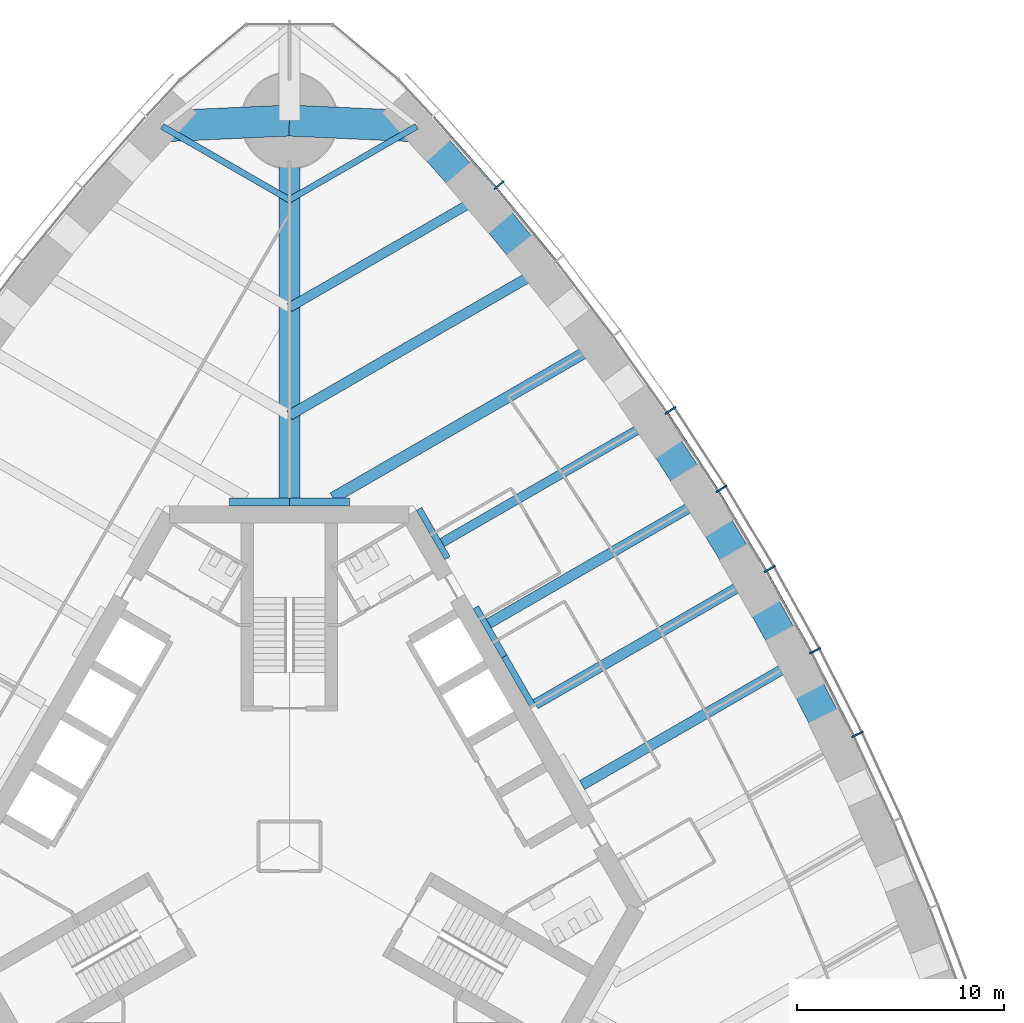
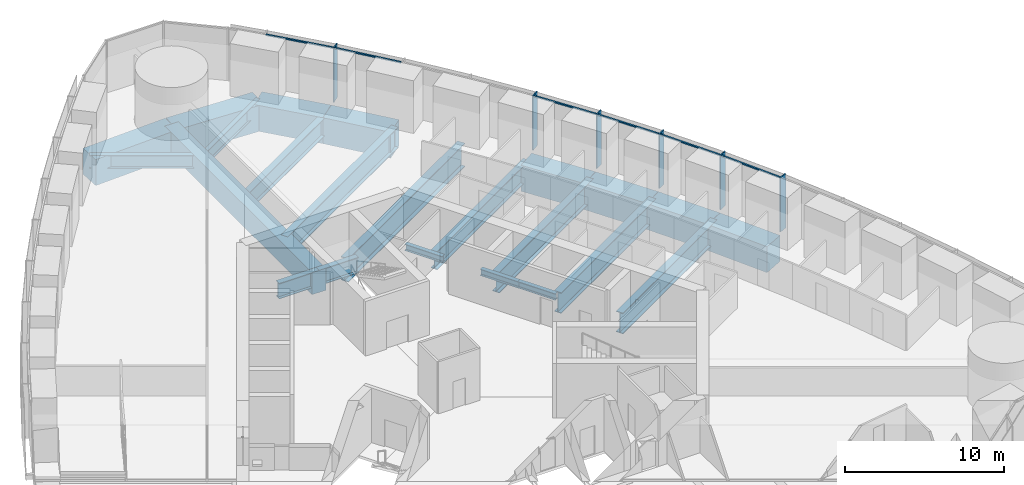
# One storey, part 5 of 20: 23 beams, 12 members, 1 element without a shape of its own.
"""IFC4 building model written with IfcOpenShell, lengths in metres."""

from ifc_helpers import new_model, si_unit, direction, frame, origin, origin_2d, place, context, subcontext, project, spatial, rectangle, i_section, extrude, material, material_profile, profile_set, type_object, element, aggregate, save


model = new_model("IFC4")

# Units and contexts
model_context = context("Model", 3, precision=1e-05, world=origin(), true_north=direction((0.0, 1.0)))
body_context = subcontext(model_context, "Body", "Model", "MODEL_VIEW")
ifc_project = project(units=[si_unit("LENGTHUNIT", "METRE"), si_unit("AREAUNIT", "SQUARE_METRE"), si_unit("VOLUMEUNIT", "CUBIC_METRE"), si_unit("PLANEANGLEUNIT", "RADIAN"), si_unit("MASSUNIT", "GRAM", prefix="KILO")], contexts=[model_context])

# Site, building, storey
site_placement = place(None, origin())
site = spatial("IfcSite", under=ifc_project, at=site_placement, CompositionType="ELEMENT")
building_placement = place(site_placement, origin())
building = spatial("IfcBuilding", under=site, at=building_placement, Name="Trefoil Bronze Tower", CompositionType="ELEMENT")
storey_placement = place(building_placement, frame((0.0, 0.0, 103.10009765625)))
storey = spatial("IfcBuildingStorey", under=building, at=storey_placement, Name="L23", CompositionType="ELEMENT", Elevation=103.10009765625)

# Curtain wall, members
ifc_material_1 = material(Name="Tinted solar-control glass", Category="glass")
curtain_wall_type = type_object("IfcCurtainWallType", Name="Bronze office curtain wall", PredefinedType="USERDEFINED", material=ifc_material_1)
curtain_wall_placement = place(storey_placement, origin())
curtain_wall = element("IfcCurtainWall", 1, at=curtain_wall_placement, inside=storey, type_object=curtain_wall_type, Name="CW-A L23 F2", ObjectType="CURTAIN WALL", PredefinedType="USERDEFINED")
ifc_material_2 = material(Name="Bronze-finish aluminium", Category="aluminium")
ifc_material_profile_1 = material_profile(ifc_material_2, rectangle(XDim=0.60009765625, YDim=0.080078125, at=origin_2d()), Name="CW-A mullion")
ifc_profile_set_1 = profile_set([ifc_material_profile_1], Name="Bronze-finish aluminium")
member_type_1 = type_object("IfcMemberType", Name="Bronze office curtain wall mullion", PredefinedType="MULLION", material=ifc_profile_set_1)
member_1_placement = place(storey_placement, frame((27.394775390625, 5.399169921875, 0.0), z_axis=(0.0, 0.0, 1.0), x_axis=(-0.899819602033, -0.436262173236, 0.0)))
member_1 = element("IfcMember", 2, at=member_1_placement, type_object=member_type_1, Name="CW-A L23 F2 mullion 6", PredefinedType="MULLION", context=body_context, shape_type="SweptSolid", body=[
    extrude(rectangle(XDim=0.60009765625, YDim=0.080078125, at=origin_2d()), origin(), (0.0, 0.0, 1.0), 4.179931640625),
])
member_2_placement = place(storey_placement, frame((25.350830078125, 9.427734375, 0.0), z_axis=(0.0, 0.0, 1.0), x_axis=(-0.883486441467, -0.468456729853, 0.0)))
member_2 = element("IfcMember", 3, at=member_2_placement, type_object=member_type_1, Name="CW-A L23 F2 mullion 7", PredefinedType="MULLION", context=body_context, shape_type="SweptSolid", body=[
    extrude(rectangle(XDim=0.60009765625, YDim=0.080078125, at=origin_2d()), origin(), (0.0, 0.0, 1.0), 4.179931640625),
])
member_3_placement = place(storey_placement, frame((23.166015625, 13.374755859375, 0.0), z_axis=(0.0, 0.0, 1.0), x_axis=(-0.866025403784, -0.5, 0.0)))
member_3 = element("IfcMember", 4, at=member_3_placement, type_object=member_type_1, Name="CW-A L23 F2 mullion 8", PredefinedType="MULLION", context=body_context, shape_type="SweptSolid", body=[
    extrude(rectangle(XDim=0.60009765625, YDim=0.080078125, at=origin_2d()), origin(), (0.0, 0.0, 1.0), 4.179931640625),
])
member_4_placement = place(storey_placement, frame((20.840087890625, 17.24072265625, 0.0), z_axis=(0.0, 0.0, 1.0), x_axis=(-0.84743864936, -0.530893337283, 0.0)))
member_4 = element("IfcMember", 5, at=member_4_placement, type_object=member_type_1, Name="CW-A L23 F2 mullion 9", PredefinedType="MULLION", context=body_context, shape_type="SweptSolid", body=[
    extrude(rectangle(XDim=0.60009765625, YDim=0.080078125, at=origin_2d()), origin(), (0.0, 0.0, 1.0), 4.179931640625),
])
member_5_placement = place(storey_placement, frame((18.373046875, 21.025146484375, 0.0), z_axis=(0.0, 0.0, 1.0), x_axis=(-0.827723925749, -0.561135547566, 0.0)))
member_5 = element("IfcMember", 6, at=member_5_placement, type_object=member_type_1, Name="CW-A L23 F2 mullion 10", PredefinedType="MULLION", context=body_context, shape_type="SweptSolid", body=[
    extrude(rectangle(XDim=0.60009765625, YDim=0.080078125, at=origin_2d()), origin(), (0.0, 0.0, 1.0), 4.179931640625),
])
member_6_placement = place(storey_placement, frame((10.11474609375, 31.8828125, 0.0), z_axis=(0.0, 0.0, 1.0), x_axis=(-0.761721651066, -0.647904411389, 0.0)))
member_6 = element("IfcMember", 7, at=member_6_placement, type_object=member_type_1, Name="CW-A L23 F2 mullion 13", PredefinedType="MULLION", context=body_context, shape_type="SweptSolid", body=[
    extrude(rectangle(XDim=0.60009765625, YDim=0.080078125, at=origin_2d()), origin(), (0.0, 0.0, 1.0), 4.179931640625),
])
ifc_material_3 = material(Name="Bronze-finish aluminium", Category="aluminium")
ifc_material_profile_2 = material_profile(ifc_material_3, rectangle(XDim=0.1201171875, YDim=0.10009765625, at=origin_2d()), Name="CW-A transom")
ifc_profile_set_2 = profile_set([ifc_material_profile_2], Name="Bronze-finish aluminium")
member_type_2 = type_object("IfcMemberType", Name="Bronze office curtain wall transom", PredefinedType="USERDEFINED", material=ifc_profile_set_2)
member_7_placement = place(storey_placement, frame((27.196044921875, 5.34912109375, 4.1298828125), z_axis=(-0.452478489814, 0.891775317138, 0.0), x_axis=(-0.891775317138, -0.452478489814, 0.0)))
member_7 = element("IfcMember", 8, at=member_7_placement, type_object=member_type_2, Name="CW-A L23 F2 transom 6", ObjectType="TRANSOM", PredefinedType="USERDEFINED", context=body_context, shape_type="SweptSolid", body=[
    extrude(rectangle(XDim=0.1201171875, YDim=0.10009765625, at=origin_2d()), origin(), (0.0, 0.0, 1.0), 4.426513671875),
])
member_8_placement = place(storey_placement, frame((25.154052734375, 9.37060546875, 4.1298828125), z_axis=(-0.484329470343, 0.874885686337, 0.0), x_axis=(-0.874885686337, -0.484329470343, 0.0)))
member_8 = element("IfcMember", 9, at=member_8_placement, type_object=member_type_2, Name="CW-A L23 F2 transom 7", ObjectType="TRANSOM", PredefinedType="USERDEFINED", context=body_context, shape_type="SweptSolid", body=[
    extrude(rectangle(XDim=0.1201171875, YDim=0.10009765625, at=origin_2d()), origin(), (0.0, 0.0, 1.0), 4.4208984375),
])
member_9_placement = place(storey_placement, frame((22.97119140625, 13.310546875, 4.1298828125), z_axis=(-0.515526794174, 0.856873458854, 0.0), x_axis=(-0.856873458854, -0.515526794174, 0.0)))
member_9 = element("IfcMember", 10, at=member_9_placement, type_object=member_type_2, Name="CW-A L23 F2 transom 8", ObjectType="TRANSOM", PredefinedType="USERDEFINED", context=body_context, shape_type="SweptSolid", body=[
    extrude(rectangle(XDim=0.1201171875, YDim=0.10009765625, at=origin_2d()), origin(), (0.0, 0.0, 1.0), 4.4208984375),
])
member_10_placement = place(storey_placement, frame((20.647705078125, 17.16943359375, 4.1298828125), z_axis=(-0.546079336226, 0.837733465099, 0.0), x_axis=(-0.837733465099, -0.546079336226, 0.0)))
member_10 = element("IfcMember", 11, at=member_10_placement, type_object=member_type_2, Name="CW-A L23 F2 transom 9", ObjectType="TRANSOM", PredefinedType="USERDEFINED", context=body_context, shape_type="SweptSolid", body=[
    extrude(rectangle(XDim=0.1201171875, YDim=0.10009765625, at=origin_2d()), origin(), (0.0, 0.0, 1.0), 4.426513671875),
])
member_11_placement = place(storey_placement, frame((12.82861328125, 28.255615234375, 4.1298828125), z_axis=(-0.633848872297, 0.773456919995, 0.0), x_axis=(-0.773456919995, -0.633848872297, 0.0)))
member_11 = element("IfcMember", 12, at=member_11_placement, type_object=member_type_2, Name="CW-A L23 F2 transom 12", ObjectType="TRANSOM", PredefinedType="USERDEFINED", context=body_context, shape_type="SweptSolid", body=[
    extrude(rectangle(XDim=0.1201171875, YDim=0.10009765625, at=origin_2d()), origin(), (0.0, 0.0, 1.0), 4.480224609375),
])
member_12_placement = place(storey_placement, frame((9.9345703125, 31.78466796875, 4.1298828125), z_axis=(-0.66173618877, 0.749736764786, 0.0), x_axis=(-0.749736764786, -0.66173618877, 0.0)))
member_12 = element("IfcMember", 13, at=member_12_placement, type_object=member_type_2, Name="CW-A L23 F2 transom 13", ObjectType="TRANSOM", PredefinedType="USERDEFINED", context=body_context, shape_type="SweptSolid", body=[
    extrude(rectangle(XDim=0.1201171875, YDim=0.10009765625, at=origin_2d()), origin(), (0.0, 0.0, 1.0), 4.510986328125),
])
aggregate(curtain_wall, [member_1, member_2, member_3, member_4, member_5, member_6, member_7, member_8, member_9, member_10, member_11, member_12])

# Beams
ifc_material_4 = material(Name="Steel C355", Category="steel")
ifc_material_profile_3 = material_profile(ifc_material_4, i_section(OverallWidth=0.300048828125, OverallDepth=0.5, WebThickness=0.014404296875, FlangeThickness=0.028076171875, FilletRadius=0.027099609375, at=origin_2d()), Name="HEB 500")
ifc_profile_set_3 = profile_set([ifc_material_profile_3], Name="Steel C355")
beam_type_1 = type_object("IfcBeamType", Name="Core seat beam HEB 500", PredefinedType="BEAM", material=ifc_profile_set_3)
for number, where, z_axis, x_axis, name in (
    (14, (11.734619140625, 6.77490234375, -0.4501953125), (-0.499969057507, 0.866043267704, 0.0), (-0.866043267704, -0.499969057507, 0.0), "Core seat beam F2/+0 L23"),
    (15, (10.363525390625, 9.14990234375, -0.4501953125), (-0.500035825175, 0.866004719122, 0.0), (-0.866004719122, -0.500035825175, 0.0), "Core seat beam F2/+1 L23"),
    (16, (7.62109375, 13.89990234375, -0.4501953125), (-0.500035825175, 0.866004719122, 0.0), (-0.866004719122, -0.500035825175, 0.0), "Core seat beam F2/+2 L23"),
):
    element("IfcBeam", number, at=place(storey_placement, frame(where, z_axis=z_axis, x_axis=x_axis)), inside=storey, type_object=beam_type_1, Name=name, PredefinedType="BEAM", context=body_context, shape_type="SweptSolid", body=[
        extrude(i_section(OverallWidth=0.300048828125, OverallDepth=0.5, WebThickness=0.014404296875, FlangeThickness=0.028076171875, FilletRadius=0.027099609375, at=origin_2d()), origin(), (0.0, 0.0, 1.0), 2.742431640625),
    ])
ifc_material_5 = material(Name="Steel C355", Category="steel")
ifc_material_profile_4 = material_profile(ifc_material_5, i_section(OverallWidth=0.39990234375, OverallDepth=1.199951171875, WebThickness=0.02001953125, FlangeThickness=0.0400390625, FilletRadius=0.010009765625, at=origin_2d()), Name="WPG 1200")
ifc_profile_set_4 = profile_set([ifc_material_profile_4], Name="Steel C355")
beam_type_2 = type_object("IfcBeamType", Name="Core seat beam WPG 1200", PredefinedType="BEAM", material=ifc_profile_set_4)
for number, where, z_axis, x_axis, name in (
    (17, (2.88671875, 16.60009765625, -0.800048828125), (-1.0, 0.0, 0.0), (0.0, -1.0, 0.0), "Core seat beam F2/+3 L23"),
    (18, (0.0, 16.60009765625, -0.800048828125), (-1.0, 0.0, 0.0), (0.0, -1.0, 0.0), "Core seat beam F3/-3 L23"),
):
    element("IfcBeam", number, at=place(storey_placement, frame(where, z_axis=z_axis, x_axis=x_axis)), inside=storey, type_object=beam_type_2, Name=name, PredefinedType="BEAM", context=body_context, shape_type="SweptSolid", body=[
        extrude(i_section(OverallWidth=0.39990234375, OverallDepth=1.199951171875, WebThickness=0.02001953125, FlangeThickness=0.0400390625, FilletRadius=0.010009765625, at=origin_2d()), origin(), (0.0, 0.0, 1.0), 2.88671875),
    ])
ifc_material_6 = material(Name="Concrete B80", Category="concrete")
ifc_material_profile_5 = material_profile(ifc_material_6, rectangle(XDim=1.0, YDim=1.699951171875, at=origin_2d()), Name="RC 1000x1700")
ifc_profile_set_5 = profile_set([ifc_material_profile_5], Name="Concrete B80")
beam_type_3 = type_object("IfcBeamType", Name="Corner girder RC 1000x1700", PredefinedType="BEAM", material=ifc_profile_set_5)
beam_1_placement = place(storey_placement, frame((0.0, 16.39990234375, -1.050048828125), z_axis=(0.0, 1.0, 0.0), x_axis=(-1.0, 0.0, 0.0)))
element("IfcBeam", 19, at=beam_1_placement, inside=storey, type_object=beam_type_3, Name="Corner girder K2 L23", PredefinedType="BEAM", context=body_context, shape_type="SweptSolid", body=[
    extrude(rectangle(XDim=1.0, YDim=1.699951171875, at=origin_2d()), origin(), (0.0, 0.0, 1.0), 18.60009765625),
])
ifc_material_7 = material(Name="Concrete B80", Category="concrete")
ifc_material_profile_6 = material_profile(ifc_material_7, rectangle(XDim=1.5, YDim=2.0, at=origin_2d()), Name="RC 1500x2000")
ifc_profile_set_6 = profile_set([ifc_material_profile_6], Name="Concrete B80")
beam_type_4 = type_object("IfcBeamType", Name="End spandrel beam RC 1500x2000", PredefinedType="SPANDREL", material=ifc_profile_set_6)
for number, where, z_axis, x_axis, name in (
    (20, (6.13916015625, 34.72119140625, -1.2001953125), (-0.998970341464, 0.045368015985, 0.0), (-0.045368015985, -0.998970341464, 0.0), "Spandrel F2.14 L23"),
    (21, (0.0, 35.0, -1.2001953125), (-0.998970341464, -0.045368015985, 0.0), (0.045368015985, -0.998970341464, 0.0), "Spandrel F3.1 L23"),
):
    element("IfcBeam", number, at=place(storey_placement, frame(where, z_axis=z_axis, x_axis=x_axis)), inside=storey, type_object=beam_type_4, Name=name, PredefinedType="SPANDREL", context=body_context, shape_type="SweptSolid", body=[
        extrude(rectangle(XDim=1.5, YDim=2.0, at=origin_2d()), origin(), (0.0, 0.0, 1.0), 6.1455078125),
    ])
ifc_material_8 = material(Name="Steel C355", Category="steel")
ifc_material_profile_7 = material_profile(ifc_material_8, i_section(OverallWidth=0.300048828125, OverallDepth=1.0, WebThickness=0.01904296875, FlangeThickness=0.035888671875, FilletRadius=0.030029296875, at=origin_2d()), Name="HEB 1000")
ifc_profile_set_7 = profile_set([ifc_material_profile_7], Name="Steel C355")
beam_type_5 = type_object("IfcBeamType", Name="Floor beam HEB 1000", PredefinedType="BEAM", material=ifc_profile_set_7)
for number, where, z_axis, x_axis, name in (
    (22, (6.13916015625, 34.72119140625, -0.7001953125), (-0.866041060244, -0.499972881236, 0.0), (0.499972881236, -0.866041060244, 0.0), "Floor beam F2/+6 L23"),
    (23, (-6.13916015625, 34.72119140625, -0.7001953125), (0.866041060244, -0.499972881236, 0.0), (0.499972881236, 0.866041060244, 0.0), "Floor beam F3/-6 L23"),
):
    element("IfcBeam", number, at=place(storey_placement, frame(where, z_axis=z_axis, x_axis=x_axis)), inside=storey, type_object=beam_type_5, Name=name, PredefinedType="BEAM", context=body_context, shape_type="SweptSolid", body=[
        extrude(i_section(OverallWidth=0.300048828125, OverallDepth=1.0, WebThickness=0.01904296875, FlangeThickness=0.035888671875, FilletRadius=0.030029296875, at=origin_2d()), origin(), (0.0, 0.0, 1.0), 7.0888671875),
    ])
ifc_material_9 = material(Name="Steel C355", Category="steel")
ifc_material_profile_8 = material_profile(ifc_material_9, i_section(OverallWidth=0.449951171875, OverallDepth=1.39990234375, WebThickness=0.02294921875, FlangeThickness=0.044921875, FilletRadius=0.011962890625, at=origin_2d()), Name="WPG 1400")
ifc_profile_set_8 = profile_set([ifc_material_profile_8], Name="Steel C355")
beam_type_6 = type_object("IfcBeamType", Name="Floor beam WPG 1400", PredefinedType="BEAM", material=ifc_profile_set_8)
beam_2_placement = place(storey_placement, frame((17.43017578125, 20.45556640625, -0.900146484375), z_axis=(-0.866030626868, -0.499990953245, 0.0), x_axis=(0.499990953245, -0.866030626868, 0.0)))
element("IfcBeam", 24, at=beam_2_placement, inside=storey, type_object=beam_type_6, Name="Floor beam F2/+2 L23", PredefinedType="BEAM", context=body_context, shape_type="SweptSolid", body=[
    extrude(i_section(OverallWidth=0.449951171875, OverallDepth=1.39990234375, WebThickness=0.02294921875, FlangeThickness=0.044921875, FilletRadius=0.011962890625, at=origin_2d()), origin(), (0.0, 0.0, 1.0), 11.622802734375),
])
beam_3_placement = place(storey_placement, frame((9.181884765625, 31.281982421875, -0.900146484375), z_axis=(-0.866021079084, -0.500007490527, 0.0), x_axis=(0.500007490527, -0.866021079084, 0.0)))
element("IfcBeam", 25, at=beam_3_placement, inside=storey, type_object=beam_type_6, Name="Floor beam F2/+5 L23", PredefinedType="BEAM", context=body_context, shape_type="SweptSolid", body=[
    extrude(i_section(OverallWidth=0.449951171875, OverallDepth=1.39990234375, WebThickness=0.02294921875, FlangeThickness=0.044921875, FilletRadius=0.011962890625, at=origin_2d()), origin(), (0.0, 0.0, 1.0), 10.602294921875),
])
ifc_material_10 = material(Name="Steel C355", Category="steel")
ifc_material_profile_9 = material_profile(ifc_material_10, i_section(OverallWidth=0.5, OverallDepth=1.60009765625, WebThickness=0.02587890625, FlangeThickness=0.050048828125, FilletRadius=0.011962890625, at=origin_2d()), Name="WPG 1600")
ifc_profile_set_9 = profile_set([ifc_material_profile_9], Name="Steel C355")
beam_type_7 = type_object("IfcBeamType", Name="Floor beam WPG 1600", PredefinedType="BEAM", material=ifc_profile_set_9)
beam_4_placement = place(storey_placement, frame((24.392578125, 8.886962890625, -1.0), z_axis=(-0.866024236736, -0.500002021381, 0.0), x_axis=(0.500002021381, -0.866024236736, 0.0)))
element("IfcBeam", 26, at=beam_4_placement, inside=storey, type_object=beam_type_7, Name="Floor beam F2/-1 L23", PredefinedType="BEAM", context=body_context, shape_type="SweptSolid", body=[
    extrude(i_section(OverallWidth=0.5, OverallDepth=1.60009765625, WebThickness=0.02587890625, FlangeThickness=0.050048828125, FilletRadius=0.011962890625, at=origin_2d()), origin(), (0.0, 0.0, 1.0), 11.8681640625),
])
beam_5_placement = place(storey_placement, frame((22.21337890625, 12.824951171875, -1.0), z_axis=(-0.866028062731, -0.499995394541, 0.0), x_axis=(0.499995394541, -0.866028062731, 0.0)))
element("IfcBeam", 27, at=beam_5_placement, inside=storey, type_object=beam_type_7, Name="Floor beam F2/+0 L23", PredefinedType="BEAM", context=body_context, shape_type="SweptSolid", body=[
    extrude(i_section(OverallWidth=0.5, OverallDepth=1.60009765625, WebThickness=0.02587890625, FlangeThickness=0.050048828125, FilletRadius=0.011962890625, at=origin_2d()), origin(), (0.0, 0.0, 1.0), 11.94970703125),
])
beam_6_placement = place(storey_placement, frame((19.892578125, 16.68115234375, -1.0), z_axis=(-0.866024236736, -0.500002021381, 0.0), x_axis=(0.500002021381, -0.866024236736, 0.0)))
element("IfcBeam", 28, at=beam_6_placement, inside=storey, type_object=beam_type_7, Name="Floor beam F2/+1 L23", PredefinedType="BEAM", context=body_context, shape_type="SweptSolid", body=[
    extrude(i_section(OverallWidth=0.5, OverallDepth=1.60009765625, WebThickness=0.02587890625, FlangeThickness=0.050048828125, FilletRadius=0.011962890625, at=origin_2d()), origin(), (0.0, 0.0, 1.0), 11.8681640625),
])
beam_7_placement = place(storey_placement, frame((12.07666015625, 27.757080078125, -1.0), z_axis=(-0.866026983775, -0.499997263366, 0.0), x_axis=(0.499997263366, -0.866026983775, 0.0)))
element("IfcBeam", 29, at=beam_7_placement, inside=storey, type_object=beam_type_7, Name="Floor beam F2/+4 L23", PredefinedType="BEAM", context=body_context, shape_type="SweptSolid", body=[
    extrude(i_section(OverallWidth=0.5, OverallDepth=1.60009765625, WebThickness=0.02587890625, FlangeThickness=0.050048828125, FilletRadius=0.011962890625, at=origin_2d()), origin(), (0.0, 0.0, 1.0), 13.94482421875),
])
ifc_material_11 = material(Name="Steel C355", Category="steel")
ifc_material_profile_10 = material_profile(ifc_material_11, i_section(OverallWidth=0.550048828125, OverallDepth=1.800048828125, WebThickness=0.029052734375, FlangeThickness=0.054931640625, FilletRadius=0.013916015625, at=origin_2d()), Name="WPG 1800")
ifc_profile_set_10 = profile_set([ifc_material_profile_10], Name="Steel C355")
beam_type_8 = type_object("IfcBeamType", Name="Floor beam WPG 1800", PredefinedType="BEAM", material=ifc_profile_set_10)
beam_8_placement = place(storey_placement, frame((14.825439453125, 24.14794921875, -1.10009765625), z_axis=(-0.866027342682, -0.499996641717, 0.0), x_axis=(0.499996641717, -0.866027342682, 0.0)))
element("IfcBeam", 30, at=beam_8_placement, inside=storey, type_object=beam_type_8, Name="Floor beam F2/+3 L23", PredefinedType="BEAM", context=body_context, shape_type="SweptSolid", body=[
    extrude(i_section(OverallWidth=0.550048828125, OverallDepth=1.800048828125, WebThickness=0.029052734375, FlangeThickness=0.054931640625, FilletRadius=0.013916015625, at=origin_2d()), origin(), (0.0, 0.0, 1.0), 14.69580078125),
])
ifc_material_12 = material(Name="Concrete B80", Category="concrete")
ifc_material_profile_11 = material_profile(ifc_material_12, rectangle(XDim=1.5, YDim=2.0, at=origin_2d()), Name="RC 1500x2000")
ifc_profile_set_11 = profile_set([ifc_material_profile_11], Name="Concrete B80")
beam_type_9 = type_object("IfcBeamType", Name="Spandrel beam RC 1500x2000", PredefinedType="SPANDREL", material=ifc_profile_set_11)
beam_9_placement = place(storey_placement, frame((26.43017578125, 4.8671875, -1.2001953125), z_axis=(-0.452125717735, 0.891954222683, 0.0), x_axis=(-0.891954222683, -0.452125717735, 0.0)))
element("IfcBeam", 31, at=beam_9_placement, inside=storey, type_object=beam_type_9, Name="Spandrel F2.6 L23", PredefinedType="SPANDREL", context=body_context, shape_type="SweptSolid", body=[
    extrude(rectangle(XDim=1.5, YDim=2.0, at=origin_2d()), origin(), (0.0, 0.0, 1.0), 4.506591796875),
])
for number, where, z_axis, x_axis, name in (
    (32, (24.392578125, 8.886962890625, -1.2001953125), (-0.484186866546, 0.874964615436, 0.0), (-0.874964615436, -0.484186866546, 0.0), "Spandrel F2.7 L23"),
    (33, (22.21337890625, 12.824951171875, -1.2001953125), (-0.515651979972, 0.856798129988, 0.0), (-0.856798129988, -0.515651979972, 0.0), "Spandrel F2.8 L23"),
):
    element("IfcBeam", number, at=place(storey_placement, frame(where, z_axis=z_axis, x_axis=x_axis)), inside=storey, type_object=beam_type_9, Name=name, PredefinedType="SPANDREL", context=body_context, shape_type="SweptSolid", body=[
        extrude(rectangle(XDim=1.5, YDim=2.0, at=origin_2d()), origin(), (0.0, 0.0, 1.0), 4.500732421875),
    ])
beam_10_placement = place(storey_placement, frame((19.892578125, 16.68115234375, -1.2001953125), z_axis=(-0.546396670296, 0.83752652417, 0.0), x_axis=(-0.83752652417, -0.546396670296, 0.0)))
element("IfcBeam", 34, at=beam_10_placement, inside=storey, type_object=beam_type_9, Name="Spandrel F2.9 L23", PredefinedType="SPANDREL", context=body_context, shape_type="SweptSolid", body=[
    extrude(rectangle(XDim=1.5, YDim=2.0, at=origin_2d()), origin(), (0.0, 0.0, 1.0), 4.506591796875),
])
beam_11_placement = place(storey_placement, frame((12.07666015625, 27.757080078125, -1.2001953125), z_axis=(-0.634650386838, 0.772799383079, 0.0), x_axis=(-0.772799383079, -0.634650386838, 0.0)))
element("IfcBeam", 35, at=beam_11_placement, inside=storey, type_object=beam_type_9, Name="Spandrel F2.12 L23", PredefinedType="SPANDREL", context=body_context, shape_type="SweptSolid", body=[
    extrude(rectangle(XDim=1.5, YDim=2.0, at=origin_2d()), origin(), (0.0, 0.0, 1.0), 4.561279296875),
])
beam_12_placement = place(storey_placement, frame((9.181884765625, 31.281982421875, -1.2001953125), z_axis=(-0.662616326239, 0.748959013699, 0.0), x_axis=(-0.748959013699, -0.662616326239, 0.0)))
element("IfcBeam", 36, at=beam_12_placement, inside=storey, type_object=beam_type_9, Name="Spandrel F2.13 L23", PredefinedType="SPANDREL", context=body_context, shape_type="SweptSolid", body=[
    extrude(rectangle(XDim=1.5, YDim=2.0, at=origin_2d()), origin(), (0.0, 0.0, 1.0), 4.592041015625),
])

save(model, "model.ifc")
